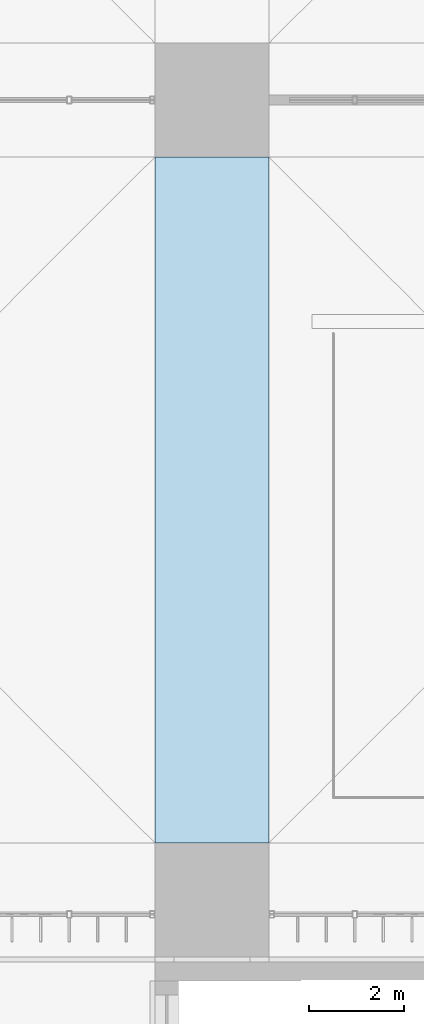
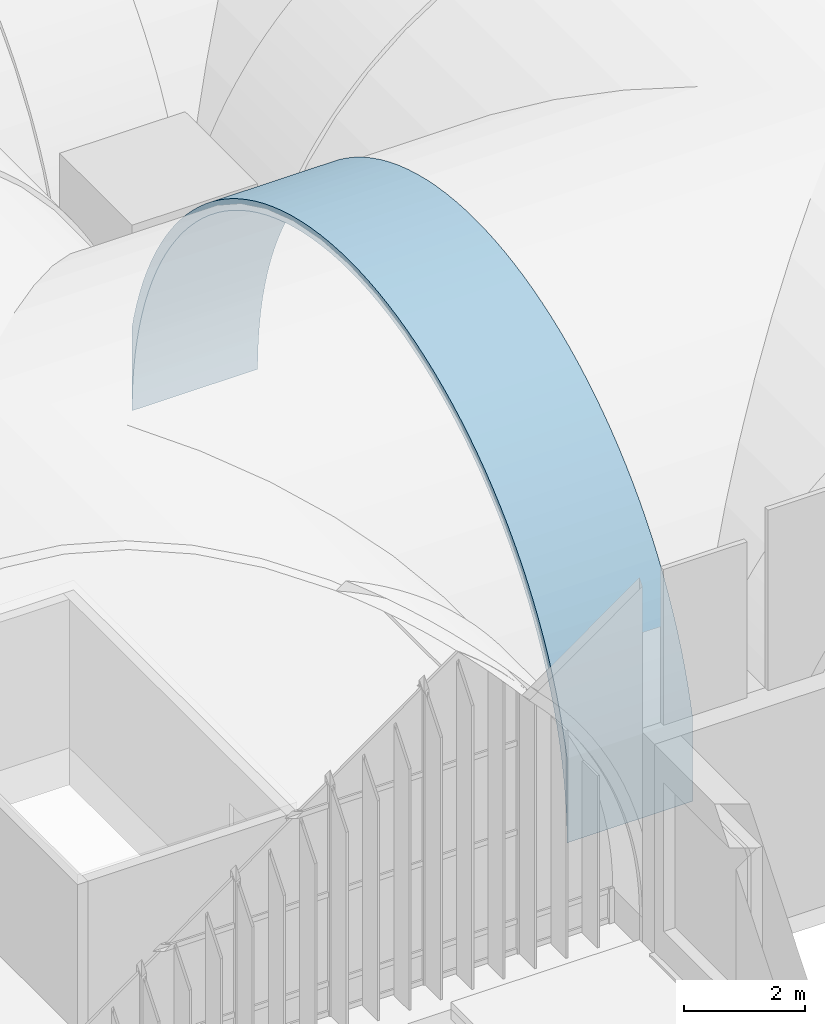
# One storey, part 125 of 169: 1 roof.
"""IFC4 building model written with IfcOpenShell, lengths in metres."""

from ifc_helpers import new_model, si_unit, direction, frame, origin, place, context, subcontext, project, spatial, polygons, material, layer, layer_set, type_object, element, save


model = new_model("IFC4")

# Units and contexts
model_context = context("Model", 3, precision=1e-05, world=origin(), true_north=direction((0.0, 1.0)))
body_context = subcontext(model_context, "Body", "Model", "MODEL_VIEW")
ifc_project = project(units=[si_unit("LENGTHUNIT", "METRE"), si_unit("AREAUNIT", "SQUARE_METRE"), si_unit("VOLUMEUNIT", "CUBIC_METRE"), si_unit("PLANEANGLEUNIT", "RADIAN"), si_unit("MASSUNIT", "GRAM", prefix="KILO")], contexts=[model_context])

# Site, building, storey
site_placement = place(None, origin())
site = spatial("IfcSite", under=ifc_project, at=site_placement, CompositionType="ELEMENT")
building_placement = place(site_placement, origin())
building = spatial("IfcBuilding", under=site, at=building_placement, Name="Verrick Yard Athletic Hall", CompositionType="ELEMENT")
storey_placement = place(building_placement, frame((0.0, 0.0, 4.39990234375)))
storey = spatial("IfcBuildingStorey", under=building, at=storey_placement, Name="L01", CompositionType="ELEMENT", Elevation=4.39990234375)

# Roof
ifc_material = material(Name="Concrete 35 MPa", Category="concrete")
ifc_layer = layer(ifc_material, 0.199951171875)
ifc_layer_set = layer_set([ifc_layer], Name="Arch rib 200")
roof_type = type_object("IfcRoofType", Name="Arch rib 200", PredefinedType="BARREL_ROOF", material=ifc_layer_set)
roof_placement = place(storey_placement, origin())
element("IfcRoof", 1, at=roof_placement, inside=storey, type_object=roof_type, Name="Vault rib X4-1", PredefinedType="BARREL_ROOF", context=body_context, shape_type="Tessellation", body=[
    polygons([(91.60009765625, 20.39990234375, 2.352294921875), (91.60009765625, 20.39990234375, 0.650146484375), (91.60009765625, 20.406982421875, 0.964111328125), (91.60009765625, 20.427490234375, 1.277587890625), (91.60009765625, 20.461669921875, 1.58984375), (91.60009765625, 20.509521484375, 1.900390625), (91.60009765625, 20.57080078125, 2.20849609375), (91.60009765625, 20.645263671875, 2.513671875), (91.60009765625, 20.733154296875, 2.815185546875), (91.60009765625, 20.834228515625, 3.112548828125), (91.60009765625, 20.947998046875, 3.405517578125), (91.60009765625, 21.07470703125, 3.693115234375), (91.60009765625, 21.21337890625, 3.974609375), (91.60009765625, 21.364501953125, 4.25), (91.60009765625, 21.527587890625, 4.518798828125), (91.60009765625, 21.7021484375, 4.77978515625), (91.60009765625, 21.887939453125, 5.033203125), (91.60009765625, 22.08447265625, 5.278076171875), (91.60009765625, 22.29150390625, 5.514404296875), (91.60009765625, 22.5087890625, 5.7412109375), (91.60009765625, 22.73583984375, 5.95849609375), (91.60009765625, 22.971923828125, 6.16552734375), (91.60009765625, 23.216796875, 6.3623046875), (91.60009765625, 23.47021484375, 6.548095703125), (91.60009765625, 23.7314453125, 6.722412109375), (91.60009765625, 24.0, 6.885498046875), (91.60009765625, 24.275390625, 7.03662109375), (91.60009765625, 24.55712890625, 7.175537109375), (91.60009765625, 24.8447265625, 7.302001953125), (91.60009765625, 25.137451171875, 7.416015625), (91.60009765625, 25.434814453125, 7.516845703125), (91.60009765625, 25.736572265625, 7.604736328125), (91.60009765625, 26.04150390625, 7.679443359375), (91.60009765625, 26.349609375, 7.74072265625), (91.60009765625, 26.66015625, 7.78857421875), (91.60009765625, 26.972412109375, 7.82275390625), (91.60009765625, 27.285888671875, 7.84326171875), (91.60009765625, 27.60009765625, 7.85009765625), (91.60009765625, 27.9140625, 7.84326171875), (91.60009765625, 28.2275390625, 7.82275390625), (91.60009765625, 28.539794921875, 7.78857421875), (91.60009765625, 28.850341796875, 7.74072265625), (91.60009765625, 29.158447265625, 7.679443359375), (91.60009765625, 29.46337890625, 7.604736328125), (91.60009765625, 29.76513671875, 7.516845703125), (91.60009765625, 30.0625, 7.416015625), (91.60009765625, 30.355224609375, 7.302001953125), (91.60009765625, 30.642822265625, 7.175537109375), (91.60009765625, 30.924560546875, 7.03662109375), (91.60009765625, 31.199951171875, 6.885498046875), (91.60009765625, 31.468505859375, 6.722412109375), (91.60009765625, 31.729736328125, 6.548095703125), (91.60009765625, 31.983154296875, 6.3623046875), (91.60009765625, 32.22802734375, 6.16552734375), (91.60009765625, 32.464111328125, 5.95849609375), (91.60009765625, 32.691162109375, 5.7412109375), (91.60009765625, 32.908447265625, 5.514404296875), (91.60009765625, 33.115478515625, 5.278076171875), (91.60009765625, 33.31201171875, 5.033203125), (91.60009765625, 33.497802734375, 4.77978515625), (91.60009765625, 33.67236328125, 4.518798828125), (91.60009765625, 33.83544921875, 4.25), (91.60009765625, 33.986572265625, 3.974609375), (91.60009765625, 34.12548828125, 3.693115234375), (91.60009765625, 34.251953125, 3.405517578125), (91.60009765625, 34.36572265625, 3.112548828125), (91.60009765625, 34.466796875, 2.815185546875), (91.60009765625, 34.5546875, 2.513671875), (91.60009765625, 34.62939453125, 2.20849609375), (91.60009765625, 34.690673828125, 1.900390625), (91.60009765625, 34.73828125, 1.58984375), (91.60009765625, 34.772705078125, 1.277587890625), (91.60009765625, 34.793212890625, 0.964111328125), (91.60009765625, 34.800048828125, 0.650146484375), (91.60009765625, 34.800048828125, 2.352294921875), (91.60009765625, 34.747802734375, 2.5654296875), (91.60009765625, 34.657470703125, 2.875244140625), (91.60009765625, 34.5537109375, 3.180908203125), (91.60009765625, 34.436767578125, 3.48193359375), (91.60009765625, 34.306640625, 3.777587890625), (91.60009765625, 34.163818359375, 4.06689453125), (91.60009765625, 34.008544921875, 4.35009765625), (91.60009765625, 33.841064453125, 4.6259765625), (91.60009765625, 33.66162109375, 4.89453125), (91.60009765625, 33.470703125, 5.15478515625), (91.60009765625, 33.268798828125, 5.40673828125), (91.60009765625, 33.055908203125, 5.6494140625), (91.60009765625, 32.83251953125, 5.8828125), (91.60009765625, 32.599365234375, 6.10595703125), (91.60009765625, 32.356689453125, 6.31884765625), (91.60009765625, 32.104736328125, 6.52099609375), (91.60009765625, 31.844482421875, 6.7119140625), (91.60009765625, 31.575927734375, 6.89111328125), (91.60009765625, 31.300048828125, 7.05859375), (91.60009765625, 31.016845703125, 7.214111328125), (91.60009765625, 30.727294921875, 7.356689453125), (91.60009765625, 30.431884765625, 7.48681640625), (91.60009765625, 30.130859375, 7.603759765625), (91.60009765625, 29.8251953125, 7.70751953125), (91.60009765625, 29.515380859375, 7.798095703125), (91.60009765625, 29.20166015625, 7.874755859375), (91.60009765625, 28.885009765625, 7.937744140625), (91.60009765625, 28.56591796875, 7.98681640625), (91.60009765625, 28.2451171875, 8.02197265625), (91.60009765625, 27.9228515625, 8.043212890625), (91.60009765625, 27.60009765625, 8.050048828125), (91.60009765625, 27.277099609375, 8.043212890625), (91.60009765625, 26.955078125, 8.02197265625), (91.60009765625, 26.634033203125, 7.98681640625), (91.60009765625, 26.31494140625, 7.937744140625), (91.60009765625, 25.998291015625, 7.874755859375), (91.60009765625, 25.684814453125, 7.798095703125), (91.60009765625, 25.374755859375, 7.70751953125), (91.60009765625, 25.069091796875, 7.603759765625), (91.60009765625, 24.76806640625, 7.48681640625), (91.60009765625, 24.47265625, 7.356689453125), (91.60009765625, 24.18310546875, 7.214111328125), (91.60009765625, 23.89990234375, 7.05859375), (91.60009765625, 23.6240234375, 6.89111328125), (91.60009765625, 23.35546875, 6.7119140625), (91.60009765625, 23.09521484375, 6.52099609375), (91.60009765625, 22.843505859375, 6.31884765625), (91.60009765625, 22.6005859375, 6.10595703125), (91.60009765625, 22.367431640625, 5.8828125), (91.60009765625, 22.14404296875, 5.6494140625), (91.60009765625, 21.931396484375, 5.40673828125), (91.60009765625, 21.729248046875, 5.15478515625), (91.60009765625, 21.538330078125, 4.89453125), (91.60009765625, 21.35888671875, 4.6259765625), (91.60009765625, 21.19140625, 4.35009765625), (91.60009765625, 21.0361328125, 4.06689453125), (91.60009765625, 20.893310546875, 3.777587890625), (91.60009765625, 20.76318359375, 3.48193359375), (91.60009765625, 20.646240234375, 3.180908203125), (91.60009765625, 20.54248046875, 2.875244140625), (91.60009765625, 20.4521484375, 2.5654296875), (89.199951171875, 20.39990234375, 2.352294921875), (89.199951171875, 20.39990234375, 0.650146484375), (89.199951171875, 20.406982421875, 0.964111328125), (89.199951171875, 20.427490234375, 1.277587890625), (89.199951171875, 20.461669921875, 1.58984375), (89.199951171875, 20.509521484375, 1.900390625), (89.199951171875, 20.57080078125, 2.20849609375), (89.199951171875, 20.645263671875, 2.513671875), (89.199951171875, 20.733154296875, 2.815185546875), (89.199951171875, 20.834228515625, 3.112548828125), (89.199951171875, 20.947998046875, 3.405517578125), (89.199951171875, 21.07470703125, 3.693115234375), (89.199951171875, 21.21337890625, 3.974609375), (89.199951171875, 21.364501953125, 4.25), (89.199951171875, 21.527587890625, 4.518798828125), (89.199951171875, 21.7021484375, 4.77978515625), (89.199951171875, 21.887939453125, 5.033203125), (89.199951171875, 22.08447265625, 5.278076171875), (89.199951171875, 22.29150390625, 5.514404296875), (89.199951171875, 22.5087890625, 5.7412109375), (89.199951171875, 22.73583984375, 5.95849609375), (89.199951171875, 22.971923828125, 6.16552734375), (89.199951171875, 23.216796875, 6.3623046875), (89.199951171875, 23.47021484375, 6.548095703125), (89.199951171875, 23.7314453125, 6.722412109375), (89.199951171875, 24.0, 6.885498046875), (89.199951171875, 24.275390625, 7.03662109375), (89.199951171875, 24.55712890625, 7.175537109375), (89.199951171875, 24.8447265625, 7.302001953125), (89.199951171875, 25.137451171875, 7.416015625), (89.199951171875, 25.434814453125, 7.516845703125), (89.199951171875, 25.736572265625, 7.604736328125), (89.199951171875, 26.04150390625, 7.679443359375), (89.199951171875, 26.349609375, 7.74072265625), (89.199951171875, 26.66015625, 7.78857421875), (89.199951171875, 26.972412109375, 7.82275390625), (89.199951171875, 27.285888671875, 7.84326171875), (89.199951171875, 27.60009765625, 7.85009765625), (89.199951171875, 27.9140625, 7.84326171875), (89.199951171875, 28.2275390625, 7.82275390625), (89.199951171875, 28.539794921875, 7.78857421875), (89.199951171875, 28.850341796875, 7.74072265625), (89.199951171875, 29.158447265625, 7.679443359375), (89.199951171875, 29.46337890625, 7.604736328125), (89.199951171875, 29.76513671875, 7.516845703125), (89.199951171875, 30.0625, 7.416015625), (89.199951171875, 30.355224609375, 7.302001953125), (89.199951171875, 30.642822265625, 7.175537109375), (89.199951171875, 30.924560546875, 7.03662109375), (89.199951171875, 31.199951171875, 6.885498046875), (89.199951171875, 31.468505859375, 6.722412109375), (89.199951171875, 31.729736328125, 6.548095703125), (89.199951171875, 31.983154296875, 6.3623046875), (89.199951171875, 32.22802734375, 6.16552734375), (89.199951171875, 32.464111328125, 5.95849609375), (89.199951171875, 32.691162109375, 5.7412109375), (89.199951171875, 32.908447265625, 5.514404296875), (89.199951171875, 33.115478515625, 5.278076171875), (89.199951171875, 33.31201171875, 5.033203125), (89.199951171875, 33.497802734375, 4.77978515625), (89.199951171875, 33.67236328125, 4.518798828125), (89.199951171875, 33.83544921875, 4.25), (89.199951171875, 33.986572265625, 3.974609375), (89.199951171875, 34.12548828125, 3.693115234375), (89.199951171875, 34.251953125, 3.405517578125), (89.199951171875, 34.36572265625, 3.112548828125), (89.199951171875, 34.466796875, 2.815185546875), (89.199951171875, 34.5546875, 2.513671875), (89.199951171875, 34.62939453125, 2.20849609375), (89.199951171875, 34.690673828125, 1.900390625), (89.199951171875, 34.73828125, 1.58984375), (89.199951171875, 34.772705078125, 1.277587890625), (89.199951171875, 34.793212890625, 0.964111328125), (89.199951171875, 34.800048828125, 0.650146484375), (89.199951171875, 34.800048828125, 2.352294921875), (89.199951171875, 34.747802734375, 2.5654296875), (89.199951171875, 34.657470703125, 2.875244140625), (89.199951171875, 34.5537109375, 3.180908203125), (89.199951171875, 34.436767578125, 3.48193359375), (89.199951171875, 34.306640625, 3.777587890625), (89.199951171875, 34.163818359375, 4.06689453125), (89.199951171875, 34.008544921875, 4.35009765625), (89.199951171875, 33.841064453125, 4.6259765625), (89.199951171875, 33.66162109375, 4.89453125), (89.199951171875, 33.470703125, 5.15478515625), (89.199951171875, 33.268798828125, 5.40673828125), (89.199951171875, 33.055908203125, 5.6494140625), (89.199951171875, 32.83251953125, 5.8828125), (89.199951171875, 32.599365234375, 6.10595703125), (89.199951171875, 32.356689453125, 6.31884765625), (89.199951171875, 32.104736328125, 6.52099609375), (89.199951171875, 31.844482421875, 6.7119140625), (89.199951171875, 31.575927734375, 6.89111328125), (89.199951171875, 31.300048828125, 7.05859375), (89.199951171875, 31.016845703125, 7.214111328125), (89.199951171875, 30.727294921875, 7.356689453125), (89.199951171875, 30.431884765625, 7.48681640625), (89.199951171875, 30.130859375, 7.603759765625), (89.199951171875, 29.8251953125, 7.70751953125), (89.199951171875, 29.515380859375, 7.798095703125), (89.199951171875, 29.20166015625, 7.874755859375), (89.199951171875, 28.885009765625, 7.937744140625), (89.199951171875, 28.56591796875, 7.98681640625), (89.199951171875, 28.2451171875, 8.02197265625), (89.199951171875, 27.9228515625, 8.043212890625), (89.199951171875, 27.60009765625, 8.050048828125), (89.199951171875, 27.277099609375, 8.043212890625), (89.199951171875, 26.955078125, 8.02197265625), (89.199951171875, 26.634033203125, 7.98681640625), (89.199951171875, 26.31494140625, 7.937744140625), (89.199951171875, 25.998291015625, 7.874755859375), (89.199951171875, 25.684814453125, 7.798095703125), (89.199951171875, 25.374755859375, 7.70751953125), (89.199951171875, 25.069091796875, 7.603759765625), (89.199951171875, 24.76806640625, 7.48681640625), (89.199951171875, 24.47265625, 7.356689453125), (89.199951171875, 24.18310546875, 7.214111328125), (89.199951171875, 23.89990234375, 7.05859375), (89.199951171875, 23.6240234375, 6.89111328125), (89.199951171875, 23.35546875, 6.7119140625), (89.199951171875, 23.09521484375, 6.52099609375), (89.199951171875, 22.843505859375, 6.31884765625), (89.199951171875, 22.6005859375, 6.10595703125), (89.199951171875, 22.367431640625, 5.8828125), (89.199951171875, 22.14404296875, 5.6494140625), (89.199951171875, 21.931396484375, 5.40673828125), (89.199951171875, 21.729248046875, 5.15478515625), (89.199951171875, 21.538330078125, 4.89453125), (89.199951171875, 21.35888671875, 4.6259765625), (89.199951171875, 21.19140625, 4.35009765625), (89.199951171875, 21.0361328125, 4.06689453125), (89.199951171875, 20.893310546875, 3.777587890625), (89.199951171875, 20.76318359375, 3.48193359375), (89.199951171875, 20.646240234375, 3.180908203125), (89.199951171875, 20.54248046875, 2.875244140625), (89.199951171875, 20.4521484375, 2.5654296875)], [[[1, 2, 3]], [[137, 139, 138]], [[136, 1, 3]], [[272, 139, 137]], [[136, 3, 4]], [[272, 140, 139]], [[136, 4, 5]], [[272, 141, 140]], [[136, 5, 6]], [[272, 142, 141]], [[136, 6, 7]], [[272, 143, 142]], [[136, 7, 8]], [[272, 144, 143]], [[136, 8, 9]], [[272, 145, 144]], [[136, 9, 10]], [[272, 146, 145]], [[136, 10, 11]], [[272, 147, 146]], [[136, 11, 12]], [[272, 148, 147]], [[136, 12, 13]], [[272, 149, 148]], [[73, 74, 75]], [[209, 211, 210]], [[72, 73, 75]], [[208, 211, 209]], [[71, 72, 75]], [[207, 211, 208]], [[70, 71, 75]], [[206, 211, 207]], [[69, 70, 75]], [[205, 211, 206]], [[68, 69, 75]], [[204, 211, 205]], [[67, 68, 75]], [[203, 211, 204]], [[66, 67, 75]], [[202, 211, 203]], [[65, 66, 75]], [[201, 211, 202]], [[64, 65, 75]], [[200, 211, 201]], [[63, 64, 75]], [[199, 211, 200]], [[63, 75, 76]], [[199, 212, 211]], [[63, 76, 77]], [[199, 213, 212]], [[62, 63, 77]], [[198, 213, 199]], [[62, 77, 78]], [[198, 214, 213]], [[61, 62, 78]], [[197, 214, 198]], [[61, 78, 79]], [[197, 215, 214]], [[60, 61, 79]], [[196, 215, 197]], [[60, 79, 80]], [[196, 216, 215]], [[59, 60, 80]], [[195, 216, 196]], [[59, 80, 81]], [[195, 217, 216]], [[58, 59, 81]], [[194, 217, 195]], [[58, 81, 82]], [[194, 218, 217]], [[57, 58, 82]], [[193, 218, 194]], [[57, 82, 83]], [[193, 219, 218]], [[56, 57, 83]], [[192, 219, 193]], [[56, 83, 84]], [[192, 220, 219]], [[55, 56, 84]], [[191, 220, 192]], [[55, 84, 85]], [[191, 221, 220]], [[54, 55, 85]], [[190, 221, 191]], [[54, 85, 86]], [[190, 222, 221]], [[53, 54, 86]], [[189, 222, 190]], [[53, 86, 87]], [[189, 223, 222]], [[52, 53, 87]], [[188, 223, 189]], [[52, 87, 88]], [[188, 224, 223]], [[51, 52, 88]], [[187, 224, 188]], [[51, 88, 89]], [[187, 225, 224]], [[50, 51, 89]], [[186, 225, 187]], [[50, 89, 90]], [[186, 226, 225]], [[49, 50, 90]], [[185, 226, 186]], [[49, 90, 91]], [[185, 227, 226]], [[48, 49, 91]], [[184, 227, 185]], [[48, 91, 92]], [[184, 228, 227]], [[47, 48, 92]], [[183, 228, 184]], [[47, 92, 93]], [[183, 229, 228]], [[46, 47, 93]], [[182, 229, 183]], [[46, 93, 94]], [[182, 230, 229]], [[45, 46, 94]], [[181, 230, 182]], [[45, 94, 95]], [[181, 231, 230]], [[44, 45, 95]], [[180, 231, 181]], [[44, 95, 96]], [[180, 232, 231]], [[43, 44, 96]], [[179, 232, 180]], [[43, 96, 97]], [[179, 233, 232]], [[42, 43, 97]], [[178, 233, 179]], [[42, 97, 98]], [[178, 234, 233]], [[41, 42, 98]], [[177, 234, 178]], [[41, 98, 99]], [[177, 235, 234]], [[40, 41, 99]], [[176, 235, 177]], [[40, 99, 100]], [[176, 236, 235]], [[39, 40, 100]], [[175, 236, 176]], [[39, 100, 101]], [[175, 237, 236]], [[38, 39, 101]], [[174, 237, 175]], [[38, 101, 102]], [[174, 238, 237]], [[37, 38, 102]], [[173, 238, 174]], [[37, 102, 103]], [[173, 239, 238]], [[36, 37, 103]], [[172, 239, 173]], [[36, 103, 104]], [[172, 240, 239]], [[35, 36, 104]], [[171, 240, 172]], [[35, 104, 105]], [[171, 241, 240]], [[34, 35, 105]], [[170, 241, 171]], [[34, 105, 106]], [[170, 242, 241]], [[33, 34, 106]], [[169, 242, 170]], [[33, 106, 107]], [[169, 243, 242]], [[32, 33, 107]], [[168, 243, 169]], [[32, 107, 108]], [[168, 244, 243]], [[31, 32, 108]], [[167, 244, 168]], [[31, 108, 109]], [[167, 245, 244]], [[30, 31, 109]], [[166, 245, 167]], [[30, 109, 110]], [[166, 246, 245]], [[29, 30, 110]], [[165, 246, 166]], [[29, 110, 111]], [[165, 247, 246]], [[28, 29, 111]], [[164, 247, 165]], [[28, 111, 112]], [[164, 248, 247]], [[27, 28, 112]], [[163, 248, 164]], [[27, 112, 113]], [[163, 249, 248]], [[26, 27, 113]], [[162, 249, 163]], [[26, 113, 114]], [[162, 250, 249]], [[25, 26, 114]], [[161, 250, 162]], [[25, 114, 115]], [[161, 251, 250]], [[24, 25, 115]], [[160, 251, 161]], [[24, 115, 116]], [[160, 252, 251]], [[23, 24, 116]], [[159, 252, 160]], [[23, 116, 117]], [[159, 253, 252]], [[22, 23, 117]], [[158, 253, 159]], [[22, 117, 118]], [[158, 254, 253]], [[21, 22, 118]], [[157, 254, 158]], [[21, 118, 119]], [[157, 255, 254]], [[20, 21, 119]], [[156, 255, 157]], [[20, 119, 120]], [[156, 256, 255]], [[19, 20, 120]], [[155, 256, 156]], [[19, 120, 121]], [[155, 257, 256]], [[18, 19, 121]], [[154, 257, 155]], [[18, 121, 122]], [[154, 258, 257]], [[17, 18, 122]], [[153, 258, 154]], [[17, 122, 123]], [[153, 259, 258]], [[16, 17, 123]], [[152, 259, 153]], [[16, 123, 124]], [[152, 260, 259]], [[15, 16, 124]], [[151, 260, 152]], [[15, 124, 125]], [[151, 261, 260]], [[14, 15, 125]], [[150, 261, 151]], [[14, 125, 126]], [[150, 262, 261]], [[13, 14, 126]], [[149, 262, 150]], [[136, 13, 126]], [[272, 262, 149]], [[136, 126, 127]], [[272, 263, 262]], [[136, 127, 128]], [[272, 264, 263]], [[136, 128, 129]], [[272, 265, 264]], [[136, 129, 130]], [[272, 266, 265]], [[136, 130, 131]], [[272, 267, 266]], [[136, 131, 132]], [[272, 268, 267]], [[136, 132, 133]], [[272, 269, 268]], [[136, 133, 134]], [[272, 270, 269]], [[134, 135, 136]], [[270, 272, 271]], [[1, 138, 2]], [[1, 137, 138]], [[2, 139, 3]], [[2, 138, 139]], [[3, 140, 4]], [[3, 139, 140]], [[4, 141, 5]], [[4, 140, 141]], [[5, 142, 6]], [[5, 141, 142]], [[6, 143, 7]], [[6, 142, 143]], [[7, 144, 8]], [[7, 143, 144]], [[8, 145, 9]], [[8, 144, 145]], [[9, 146, 10]], [[9, 145, 146]], [[10, 147, 11]], [[10, 146, 147]], [[11, 148, 12]], [[11, 147, 148]], [[12, 149, 13]], [[12, 148, 149]], [[13, 150, 14]], [[13, 149, 150]], [[14, 151, 15]], [[14, 150, 151]], [[15, 152, 16]], [[15, 151, 152]], [[16, 153, 17]], [[16, 152, 153]], [[17, 154, 18]], [[17, 153, 154]], [[18, 155, 19]], [[18, 154, 155]], [[19, 156, 20]], [[19, 155, 156]], [[20, 157, 21]], [[20, 156, 157]], [[21, 158, 22]], [[21, 157, 158]], [[22, 159, 23]], [[22, 158, 159]], [[23, 160, 24]], [[23, 159, 160]], [[24, 161, 25]], [[24, 160, 161]], [[25, 162, 26]], [[25, 161, 162]], [[26, 163, 27]], [[26, 162, 163]], [[27, 164, 28]], [[27, 163, 164]], [[28, 165, 29]], [[28, 164, 165]], [[29, 166, 30]], [[29, 165, 166]], [[30, 167, 31]], [[30, 166, 167]], [[31, 168, 32]], [[31, 167, 168]], [[32, 169, 33]], [[32, 168, 169]], [[33, 170, 34]], [[33, 169, 170]], [[34, 171, 35]], [[34, 170, 171]], [[35, 172, 36]], [[35, 171, 172]], [[36, 173, 37]], [[36, 172, 173]], [[37, 174, 38]], [[37, 173, 174]], [[38, 175, 39]], [[38, 174, 175]], [[39, 176, 40]], [[39, 175, 176]], [[40, 177, 41]], [[40, 176, 177]], [[41, 178, 42]], [[41, 177, 178]], [[42, 179, 43]], [[42, 178, 179]], [[43, 180, 44]], [[43, 179, 180]], [[44, 181, 45]], [[44, 180, 181]], [[45, 182, 46]], [[45, 181, 182]], [[46, 183, 47]], [[46, 182, 183]], [[47, 184, 48]], [[47, 183, 184]], [[48, 185, 49]], [[48, 184, 185]], [[49, 186, 50]], [[49, 185, 186]], [[50, 187, 51]], [[50, 186, 187]], [[51, 188, 52]], [[51, 187, 188]], [[52, 189, 53]], [[52, 188, 189]], [[53, 190, 54]], [[53, 189, 190]], [[54, 191, 55]], [[54, 190, 191]], [[55, 192, 56]], [[55, 191, 192]], [[56, 193, 57]], [[56, 192, 193]], [[57, 194, 58]], [[57, 193, 194]], [[58, 195, 59]], [[58, 194, 195]], [[59, 196, 60]], [[59, 195, 196]], [[60, 197, 61]], [[60, 196, 197]], [[61, 198, 62]], [[61, 197, 198]], [[62, 199, 63]], [[62, 198, 199]], [[63, 200, 64]], [[63, 199, 200]], [[64, 201, 65]], [[64, 200, 201]], [[65, 202, 66]], [[65, 201, 202]], [[66, 203, 67]], [[66, 202, 203]], [[67, 204, 68]], [[67, 203, 204]], [[68, 205, 69]], [[68, 204, 205]], [[69, 206, 70]], [[69, 205, 206]], [[70, 207, 71]], [[70, 206, 207]], [[71, 208, 72]], [[71, 207, 208]], [[72, 209, 73]], [[72, 208, 209]], [[73, 210, 74]], [[73, 209, 210]], [[74, 211, 75]], [[74, 210, 211]], [[75, 212, 76]], [[75, 211, 212]], [[76, 213, 77]], [[76, 212, 213]], [[77, 214, 78]], [[77, 213, 214]], [[78, 215, 79]], [[78, 214, 215]], [[79, 216, 80]], [[79, 215, 216]], [[80, 217, 81]], [[80, 216, 217]], [[81, 218, 82]], [[81, 217, 218]], [[82, 219, 83]], [[82, 218, 219]], [[83, 220, 84]], [[83, 219, 220]], [[84, 221, 85]], [[84, 220, 221]], [[85, 222, 86]], [[85, 221, 222]], [[86, 223, 87]], [[86, 222, 223]], [[87, 224, 88]], [[87, 223, 224]], [[88, 225, 89]], [[88, 224, 225]], [[89, 226, 90]], [[89, 225, 226]], [[90, 227, 91]], [[90, 226, 227]], [[91, 228, 92]], [[91, 227, 228]], [[92, 229, 93]], [[92, 228, 229]], [[93, 230, 94]], [[93, 229, 230]], [[94, 231, 95]], [[94, 230, 231]], [[95, 232, 96]], [[95, 231, 232]], [[96, 233, 97]], [[96, 232, 233]], [[97, 234, 98]], [[97, 233, 234]], [[98, 235, 99]], [[98, 234, 235]], [[99, 236, 100]], [[99, 235, 236]], [[100, 237, 101]], [[100, 236, 237]], [[101, 238, 102]], [[101, 237, 238]], [[102, 239, 103]], [[102, 238, 239]], [[103, 240, 104]], [[103, 239, 240]], [[104, 241, 105]], [[104, 240, 241]], [[105, 242, 106]], [[105, 241, 242]], [[106, 243, 107]], [[106, 242, 243]], [[107, 244, 108]], [[107, 243, 244]], [[108, 245, 109]], [[108, 244, 245]], [[109, 246, 110]], [[109, 245, 246]], [[110, 247, 111]], [[110, 246, 247]], [[111, 248, 112]], [[111, 247, 248]], [[112, 249, 113]], [[112, 248, 249]], [[113, 250, 114]], [[113, 249, 250]], [[114, 251, 115]], [[114, 250, 251]], [[115, 252, 116]], [[115, 251, 252]], [[116, 253, 117]], [[116, 252, 253]], [[117, 254, 118]], [[117, 253, 254]], [[118, 255, 119]], [[118, 254, 255]], [[119, 256, 120]], [[119, 255, 256]], [[120, 257, 121]], [[120, 256, 257]], [[121, 258, 122]], [[121, 257, 258]], [[122, 259, 123]], [[122, 258, 259]], [[123, 260, 124]], [[123, 259, 260]], [[124, 261, 125]], [[124, 260, 261]], [[125, 262, 126]], [[125, 261, 262]], [[126, 263, 127]], [[126, 262, 263]], [[127, 264, 128]], [[127, 263, 264]], [[128, 265, 129]], [[128, 264, 265]], [[129, 266, 130]], [[129, 265, 266]], [[130, 267, 131]], [[130, 266, 267]], [[131, 268, 132]], [[131, 267, 268]], [[132, 269, 133]], [[132, 268, 269]], [[133, 270, 134]], [[133, 269, 270]], [[134, 271, 135]], [[134, 270, 271]], [[135, 272, 136]], [[135, 271, 272]], [[136, 137, 1]], [[136, 272, 137]]], closed=True),
])

save(model, "model.ifc")
